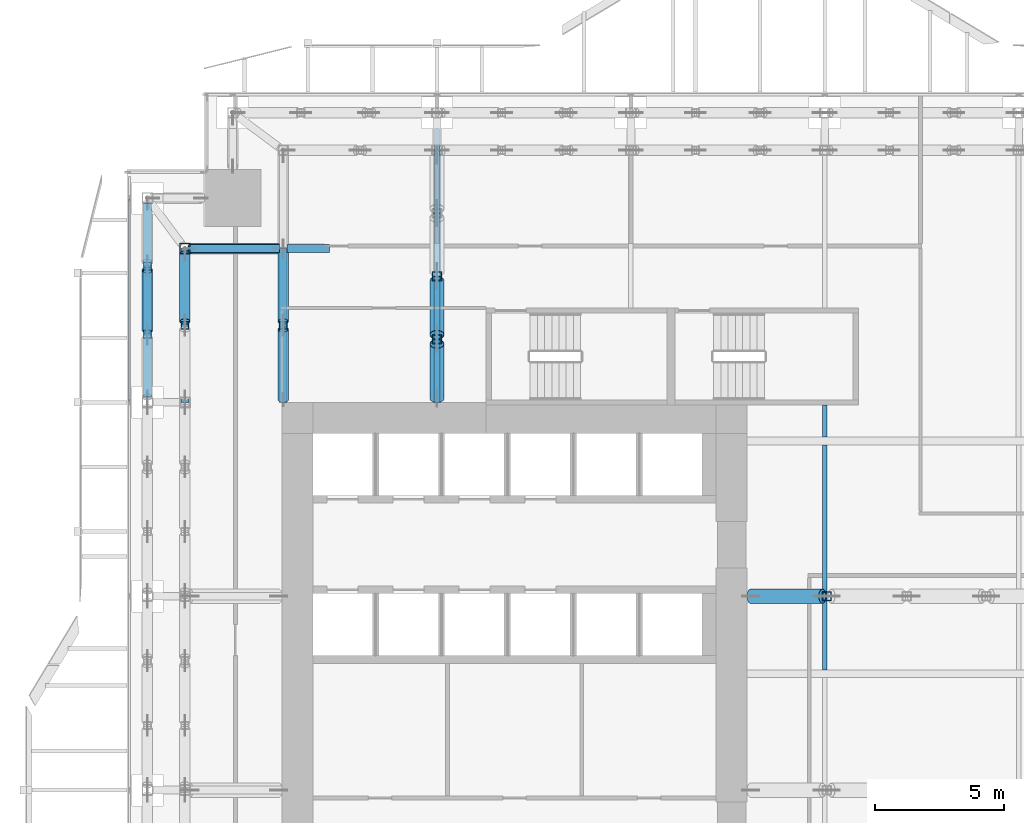
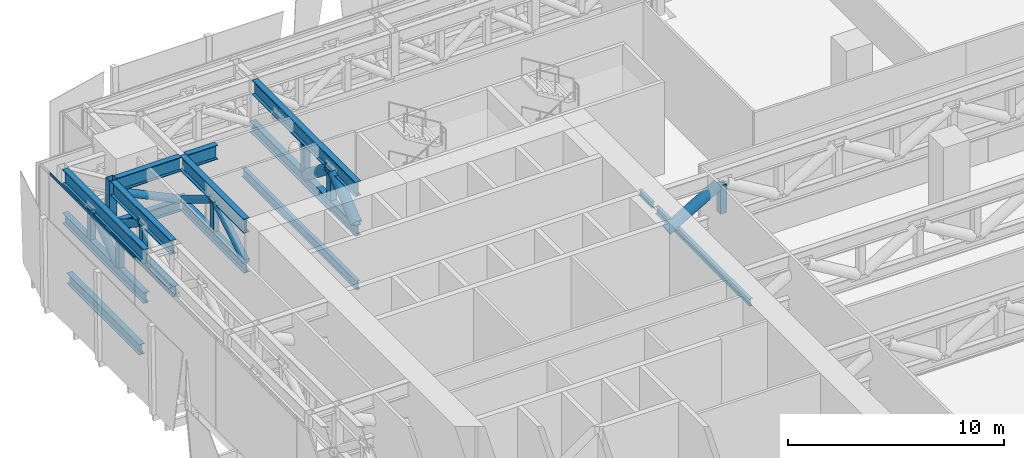
# One storey, part 18 of 39: 28 members, 4 beams, 1 element without a shape of its own.
"""IFC4 building model written with IfcOpenShell, lengths in metres."""

from ifc_helpers import new_model, si_unit, direction, frame, origin, origin_2d, place, context, subcontext, project, spatial, hollow_rectangle, hollow_circle, i_section, extrude, source, transform, mapped, material, material_profile, profile_set, type_object, element, aggregate, save


model = new_model("IFC4")

# Units and contexts
model_context = context("Model", 3, precision=1e-05, world=origin(), true_north=direction((0.0, 1.0)))
body_context = subcontext(model_context, "Body", "Model", "MODEL_VIEW")
ifc_project = project(units=[si_unit("LENGTHUNIT", "METRE"), si_unit("AREAUNIT", "SQUARE_METRE"), si_unit("VOLUMEUNIT", "CUBIC_METRE"), si_unit("PLANEANGLEUNIT", "RADIAN"), si_unit("MASSUNIT", "GRAM", prefix="KILO")], contexts=[model_context])

# Site, building, storey
site_placement = place(None, origin())
site = spatial("IfcSite", under=ifc_project, at=site_placement, CompositionType="ELEMENT")
building_placement = place(site_placement, origin())
building = spatial("IfcBuilding", under=site, at=building_placement, Name="Khomas Fold Tower", CompositionType="ELEMENT")
storey_placement = place(building_placement, frame((0.0, 0.0, 96.0)))
storey = spatial("IfcBuildingStorey", under=building, at=storey_placement, Name="L20", CompositionType="ELEMENT", Elevation=96.0)

# Beams
ifc_material_1 = material(Name="Steel S355", Category="steel")
ifc_material_profile_1 = material_profile(ifc_material_1, i_section(OverallWidth=0.199951171875, OverallDepth=0.5, WebThickness=0.01025390625, FlangeThickness=0.01611328125, at=origin_2d()), Name="IPE 500")
ifc_profile_set_1 = profile_set([ifc_material_profile_1], Name="Steel S355")
beam_type_1 = type_object("IfcBeamType", Name="IPE 500 beam JB5", PredefinedType="BEAM", material=ifc_profile_set_1)
shared_shape_1 = source(origin(), body_context, "Body", "SweptSolid", [
    extrude(i_section(OverallWidth=0.199951171875, OverallDepth=0.5, WebThickness=0.01025390625, FlangeThickness=0.01611328125, at=origin_2d()), origin(), (0.0, 0.0, 1.0), 10.60009765625),
])
beam_1_placement = place(storey_placement, frame((12.0, 42.0, -0.64990234375), z_axis=(0.0, 1.0, 0.0), x_axis=(-1.0, 0.0, 0.0)))
element("IfcBeam", 1, at=beam_1_placement, inside=storey, type_object=beam_type_1, Name="JB5", PredefinedType="BEAM", context=body_context, shape_type="MappedRepresentation", body=[
    mapped(shared_shape_1, transform((0.0, 0.0, 0.0))),
])
ifc_material_2 = material(Name="Steel S355", Category="steel")
ifc_material_profile_2 = material_profile(ifc_material_2, i_section(OverallWidth=0.179931640625, OverallDepth=0.39990234375, WebThickness=0.008544921875, FlangeThickness=0.013427734375, at=origin_2d()), Name="IPE 400")
ifc_profile_set_2 = profile_set([ifc_material_profile_2], Name="Steel S355")
beam_type_2 = type_object("IfcBeamType", Name="IPE 400 beam JB3", PredefinedType="BEAM", material=ifc_profile_set_2)
shared_shape_2 = source(origin(), body_context, "Body", "SweptSolid", [
    extrude(i_section(OverallWidth=0.179931640625, OverallDepth=0.39990234375, WebThickness=0.008544921875, FlangeThickness=0.013427734375, at=origin_2d()), origin(), (0.0, 0.0, 1.0), 8.7001953125),
])
beam_2_placement = place(storey_placement, frame((27.0, 31.64990234375, -0.60009765625), z_axis=(0.0, 1.0, 0.0), x_axis=(-1.0, 0.0, 0.0)))
element("IfcBeam", 2, at=beam_2_placement, inside=storey, type_object=beam_type_2, Name="JB3", PredefinedType="BEAM", context=body_context, shape_type="MappedRepresentation", body=[
    mapped(shared_shape_2, transform((0.0, 0.0, 0.0))),
])
ifc_material_3 = material(Name="Steel S355", Category="steel")
ifc_material_profile_3 = material_profile(ifc_material_3, i_section(OverallWidth=0.300048828125, OverallDepth=0.60009765625, WebThickness=0.015380859375, FlangeThickness=0.030029296875, at=origin_2d()), Name="HE 600 B")
ifc_profile_set_3 = profile_set([ifc_material_profile_3], Name="Steel S355")
beam_type_3 = type_object("IfcBeamType", Name="HE 600 B spandrel SB1", PredefinedType="SPANDREL", material=ifc_profile_set_3)
shared_shape_3 = source(origin(), body_context, "Body", "SweptSolid", [
    extrude(i_section(OverallWidth=0.300048828125, OverallDepth=0.60009765625, WebThickness=0.015380859375, FlangeThickness=0.030029296875, at=origin_2d()), origin(), (0.0, 0.0, 1.0), 6.699951171875),
])
beam_3_placement = place(storey_placement, frame((0.800048828125, 42.60009765625, -0.699951171875), z_axis=(0.0, 1.0, 0.0), x_axis=(-1.0, 0.0, 0.0)))
element("IfcBeam", 3, at=beam_3_placement, inside=storey, type_object=beam_type_3, Name="SB1", PredefinedType="SPANDREL", context=body_context, shape_type="MappedRepresentation", body=[
    mapped(shared_shape_3, transform((0.0, 0.0, 0.0))),
])
ifc_material_4 = material(Name="Steel S355", Category="steel")
ifc_material_profile_4 = material_profile(ifc_material_4, i_section(OverallWidth=0.159912109375, OverallDepth=0.330078125, WebThickness=0.007568359375, FlangeThickness=0.011474609375, at=origin_2d()), Name="IPE 330")
ifc_profile_set_4 = profile_set([ifc_material_profile_4], Name="Steel S355")
beam_type_4 = type_object("IfcBeamType", Name="IPE 330 beam JB1", PredefinedType="BEAM", material=ifc_profile_set_4)
shared_shape_4 = source(origin(), body_context, "Body", "SweptSolid", [
    extrude(i_section(OverallWidth=0.159912109375, OverallDepth=0.330078125, WebThickness=0.007568359375, FlangeThickness=0.011474609375, at=origin_2d()), origin(), (0.0, 0.0, 1.0), 1.25),
])
beam_4_placement = place(storey_placement, frame((27.0, 40.64990234375, -0.56494140625), z_axis=(0.0, 1.0, 0.0), x_axis=(-1.0, 0.0, 0.0)))
element("IfcBeam", 4, at=beam_4_placement, inside=storey, type_object=beam_type_4, Name="JB1", PredefinedType="BEAM", context=body_context, shape_type="MappedRepresentation", body=[
    mapped(shared_shape_4, transform((0.0, 0.0, 0.0))),
])

# Members
ifc_material_5 = material(Name="Steel S460M", Category="steel")
ifc_material_profile_5 = material_profile(ifc_material_5, i_section(OverallWidth=0.300048828125, OverallDepth=0.800048828125, WebThickness=0.017578125, FlangeThickness=0.032958984375, at=origin_2d()), Name="HE 800 B")
ifc_profile_set_5 = profile_set([ifc_material_profile_5], Name="Steel S460M")
member_type_1 = type_object("IfcMemberType", Name="BELT TRUSS 1 TOP CHORD HE 800 B", PredefinedType="CHORD", material=ifc_profile_set_5)
shared_shape_5 = source(origin(), body_context, "Body", "SweptSolid", [
    extrude(i_section(OverallWidth=0.300048828125, OverallDepth=0.800048828125, WebThickness=0.017578125, FlangeThickness=0.032958984375, at=origin_2d()), origin(), (0.0, 0.0, 1.0), 7.5),
])
member_1_placement = place(storey_placement, frame((0.800048828125, 49.699951171875, 4.800048828125), z_axis=(0.0, -1.0, 0.0), x_axis=(1.0, 0.0, 0.0)))
element("IfcMember", 5, at=member_1_placement, inside=storey, type_object=member_type_1, Name="BT1-CT", PredefinedType="CHORD", context=body_context, shape_type="MappedRepresentation", body=[
    mapped(shared_shape_5, transform((0.0, 0.0, 0.0))),
])
ifc_material_6 = material(Name="Steel S355", Category="steel")
ifc_material_profile_6 = material_profile(ifc_material_6, i_section(OverallWidth=0.300048828125, OverallDepth=0.60009765625, WebThickness=0.015380859375, FlangeThickness=0.030029296875, at=origin_2d()), Name="HE 600 B")
ifc_profile_set_6 = profile_set([ifc_material_profile_6], Name="Steel S355")
member_type_2 = type_object("IfcMemberType", Name="BELT TRUSS 1 BOTTOM CHORD HE 600 B", PredefinedType="CHORD", material=ifc_profile_set_6)
shared_shape_6 = source(origin(), body_context, "Body", "SweptSolid", [
    extrude(i_section(OverallWidth=0.300048828125, OverallDepth=0.60009765625, WebThickness=0.015380859375, FlangeThickness=0.030029296875, at=origin_2d()), origin(), (0.0, 0.0, 1.0), 7.5),
])
member_2_placement = place(storey_placement, frame((0.800048828125, 49.699951171875, 2.449951171875), z_axis=(0.0, -1.0, 0.0), x_axis=(1.0, 0.0, 0.0)))
element("IfcMember", 6, at=member_2_placement, inside=storey, type_object=member_type_2, Name="BT1-CB", PredefinedType="CHORD", context=body_context, shape_type="MappedRepresentation", body=[
    mapped(shared_shape_6, transform((0.0, 0.0, 0.0))),
])
ifc_material_7 = material(Name="Steel S355", Category="steel")
ifc_material_profile_7 = material_profile(ifc_material_7, hollow_circle(Radius=0.203125, WallThickness=0.01611328125, at=origin_2d()), Name="CHS 406.4x16")
ifc_profile_set_7 = profile_set([ifc_material_profile_7], Name="Steel S355")
member_type_3 = type_object("IfcMemberType", Name="BELT TRUSS 1 DIAGONAL CHS 406.4x16", PredefinedType="BRACE", material=ifc_profile_set_7)
shared_shape_7 = source(origin(), body_context, "Body", "SweptSolid", [
    extrude(hollow_circle(Radius=0.203125, WallThickness=0.01611328125, at=origin_2d()), origin(), (0.0, 0.0, 1.0), 2.863525390625),
])
member_3_placement = place(storey_placement, frame((0.800048828125, 47.11669921875, 4.405029296875), z_axis=(0.0, -0.814838084694, -0.579688619633), x_axis=(1.0, 0.0, 0.0)))
element("IfcMember", 7, at=member_3_placement, inside=storey, type_object=member_type_3, Name="BT1-D", PredefinedType="BRACE", context=body_context, shape_type="MappedRepresentation", body=[
    mapped(shared_shape_7, transform((0.0, 0.0, 0.0))),
])
ifc_material_8 = material(Name="Steel S355", Category="steel")
ifc_material_profile_8 = material_profile(ifc_material_8, hollow_rectangle(XDim=0.300048828125, YDim=0.300048828125, WallThickness=0.01611328125, at=origin_2d()), Name="SHS 300x300x16")
ifc_profile_set_8 = profile_set([ifc_material_profile_8], Name="Steel S355")
member_type_4 = type_object("IfcMemberType", Name="BELT TRUSS 1 MID POST SHS 300x300x16", PredefinedType="POST", material=ifc_profile_set_8)
shared_shape_8 = source(origin(), body_context, "Body", "SweptSolid", [
    extrude(hollow_rectangle(XDim=0.300048828125, YDim=0.300048828125, WallThickness=0.01611328125, at=origin_2d()), origin(), (0.0, 0.0, 1.0), 1.64990234375),
])
for number, where, z_axis, x_axis, name in (
    (8, (0.800048828125, 47.2666015625, 2.75), (0.0, 0.0, 1.0), (1.0, 0.0, 0.0), "BT1-M"),
    (9, (0.800048828125, 44.63330078125, 2.75), (0.0, 0.0, 1.0), (1.0, 0.0, 0.0), "BT1-M"),
    (10, (2.25, 44.97509765625, 2.75), (0.0, 0.0, 1.0), (1.0, 0.0, 0.0), "BT1-M"),
    (11, (6.050048828125, 44.97509765625, 2.75), (0.0, 0.0, 1.0), (1.0, 0.0, 0.0), "BT1-M"),
):
    element("IfcMember", number, at=place(storey_placement, frame(where, z_axis=z_axis, x_axis=x_axis)), inside=storey, type_object=member_type_4, Name=name, PredefinedType="POST", context=body_context, shape_type="MappedRepresentation", body=[
        mapped(shared_shape_8, transform((0.0, 0.0, 0.0))),
    ])
shared_shape_9 = source(origin(), body_context, "Body", "SweptSolid", [
    extrude(i_section(OverallWidth=0.300048828125, OverallDepth=0.800048828125, WebThickness=0.017578125, FlangeThickness=0.032958984375, at=origin_2d()), origin(), (0.0, 0.0, 1.0), 5.550048828125),
])
member_4_placement = place(storey_placement, frame((2.25, 47.75, 4.800048828125), z_axis=(0.0, -1.0, 0.0), x_axis=(1.0, 0.0, 0.0)))
element("IfcMember", 12, at=member_4_placement, inside=storey, type_object=member_type_1, Name="BT1-CT", PredefinedType="CHORD", context=body_context, shape_type="MappedRepresentation", body=[
    mapped(shared_shape_9, transform((0.0, 0.0, 0.0))),
])
shared_shape_10 = source(origin(), body_context, "Body", "SweptSolid", [
    extrude(hollow_circle(Radius=0.203125, WallThickness=0.01611328125, at=origin_2d()), origin(), (0.0, 0.0, 1.0), 3.105712890625),
])
member_5_placement = place(storey_placement, frame((2.25, 47.75, 2.7451171875), z_axis=(0.0, -0.84519551241, 0.534457244129), x_axis=(1.0, 0.0, 0.0)))
element("IfcMember", 13, at=member_5_placement, inside=storey, type_object=member_type_3, Name="BT1-D", PredefinedType="BRACE", context=body_context, shape_type="MappedRepresentation", body=[
    mapped(shared_shape_10, transform((0.0, 0.0, 0.0))),
])
shared_shape_11 = source(origin(), body_context, "Body", "SweptSolid", [
    extrude(i_section(OverallWidth=0.300048828125, OverallDepth=0.60009765625, WebThickness=0.015380859375, FlangeThickness=0.030029296875, at=origin_2d()), origin(), (0.0, 0.0, 1.0), 5.949951171875),
])
for number, where, z_axis, x_axis, name in (
    (14, (2.25, 47.949951171875, 2.449951171875), (0.0, -1.0, 0.0), (1.0, 0.0, 0.0), "BT1-CB"),
    (15, (6.050048828125, 47.949951171875, 2.449951171875), (0.0, -1.0, 0.0), (1.0, 0.0, 0.0), "BT1-CB"),
):
    element("IfcMember", number, at=place(storey_placement, frame(where, z_axis=z_axis, x_axis=x_axis)), inside=storey, type_object=member_type_2, Name=name, PredefinedType="CHORD", context=body_context, shape_type="MappedRepresentation", body=[
        mapped(shared_shape_11, transform((0.0, 0.0, 0.0))),
    ])
ifc_material_9 = material(Name="Steel S460M", Category="steel")
ifc_material_profile_9 = material_profile(ifc_material_9, i_section(OverallWidth=0.300048828125, OverallDepth=0.800048828125, WebThickness=0.017578125, FlangeThickness=0.032958984375, at=origin_2d()), Name="HE 800 B")
ifc_profile_set_9 = profile_set([ifc_material_profile_9], Name="Steel S460M")
member_type_5 = type_object("IfcMemberType", Name="BELT TRUSS 1 TOP CHORD SHORT HE 800 B", PredefinedType="CHORD", material=ifc_profile_set_9)
shared_shape_12 = source(origin(), body_context, "Body", "SweptSolid", [
    extrude(i_section(OverallWidth=0.300048828125, OverallDepth=0.800048828125, WebThickness=0.017578125, FlangeThickness=0.032958984375, at=origin_2d()), origin(), (0.0, 0.0, 1.0), 3.449951171875),
])
member_6_placement = place(storey_placement, frame((2.449951171875, 47.949951171875, 4.800048828125), z_axis=(1.0, 0.0, 0.0), x_axis=(0.0, 1.0, 0.0)))
element("IfcMember", 16, at=member_6_placement, inside=storey, type_object=member_type_5, Name="BT1-CTS", PredefinedType="CHORD", context=body_context, shape_type="MappedRepresentation", body=[
    mapped(shared_shape_12, transform((0.0, 0.0, 0.0))),
])
ifc_material_10 = material(Name="Steel S355", Category="steel")
ifc_material_profile_10 = material_profile(ifc_material_10, i_section(OverallWidth=0.300048828125, OverallDepth=0.60009765625, WebThickness=0.015380859375, FlangeThickness=0.030029296875, at=origin_2d()), Name="HE 600 B")
ifc_profile_set_10 = profile_set([ifc_material_profile_10], Name="Steel S355")
member_type_6 = type_object("IfcMemberType", Name="BELT TRUSS 1 BOTTOM CHORD SHORT HE 600 B", PredefinedType="CHORD", material=ifc_profile_set_10)
shared_shape_13 = source(origin(), body_context, "Body", "SweptSolid", [
    extrude(i_section(OverallWidth=0.300048828125, OverallDepth=0.60009765625, WebThickness=0.015380859375, FlangeThickness=0.030029296875, at=origin_2d()), origin(), (0.0, 0.0, 1.0), 3.5),
])
member_7_placement = place(storey_placement, frame((2.39990234375, 47.949951171875, 2.449951171875), z_axis=(1.0, 0.0, 0.0), x_axis=(0.0, 1.0, 0.0)))
element("IfcMember", 17, at=member_7_placement, inside=storey, type_object=member_type_6, Name="BT1-CBS", PredefinedType="CHORD", context=body_context, shape_type="MappedRepresentation", body=[
    mapped(shared_shape_13, transform((0.0, 0.0, 0.0))),
])
ifc_material_11 = material(Name="Steel S355", Category="steel")
ifc_material_profile_11 = material_profile(ifc_material_11, hollow_circle(Radius=0.203125, WallThickness=0.01611328125, at=origin_2d()), Name="CHS 406.4x16")
ifc_profile_set_11 = profile_set([ifc_material_profile_11], Name="Steel S355")
member_type_7 = type_object("IfcMemberType", Name="BELT TRUSS 1 DIAGONAL LONG CHS 406.4x16", PredefinedType="BRACE", material=ifc_profile_set_11)
shared_shape_14 = source(origin(), body_context, "Body", "SweptSolid", [
    extrude(hollow_circle(Radius=0.203125, WallThickness=0.01611328125, at=origin_2d()), origin(), (0.0, 0.0, 1.0), 3.82861328125),
])
member_8_placement = place(storey_placement, frame((2.449951171875, 47.949951171875, 4.405029296875), z_axis=(0.901121646238, 0.0, -0.43356634865), x_axis=(0.0, 1.0, 0.0)))
element("IfcMember", 18, at=member_8_placement, inside=storey, type_object=member_type_7, Name="BT1-DL", PredefinedType="BRACE", context=body_context, shape_type="MappedRepresentation", body=[
    mapped(shared_shape_14, transform((0.0, 0.0, 0.0))),
])
ifc_material_12 = material(Name="Steel S460M", Category="steel")
ifc_material_profile_12 = material_profile(ifc_material_12, i_section(OverallWidth=0.300048828125, OverallDepth=0.800048828125, WebThickness=0.017578125, FlangeThickness=0.032958984375, at=origin_2d()), Name="HE 800 B")
ifc_profile_set_12 = profile_set([ifc_material_profile_12], Name="Steel S460M")
member_type_8 = type_object("IfcMemberType", Name="BELT TRUSS 1 TOP CHORD SHORTER HE 800 B", PredefinedType="CHORD", material=ifc_profile_set_12)
shared_shape_15 = source(origin(), body_context, "Body", "SweptSolid", [
    extrude(i_section(OverallWidth=0.300048828125, OverallDepth=0.800048828125, WebThickness=0.017578125, FlangeThickness=0.032958984375, at=origin_2d()), origin(), (0.0, 0.0, 1.0), 1.650146484375),
])
member_9_placement = place(storey_placement, frame((6.199951171875, 47.949951171875, 4.800048828125), z_axis=(1.0, 0.0, 0.0), x_axis=(0.0, 1.0, 0.0)))
element("IfcMember", 19, at=member_9_placement, inside=storey, type_object=member_type_8, Name="BT1-CTSS", PredefinedType="CHORD", context=body_context, shape_type="MappedRepresentation", body=[
    mapped(shared_shape_15, transform((0.0, 0.0, 0.0))),
])
shared_shape_16 = source(origin(), body_context, "Body", "SweptSolid", [
    extrude(i_section(OverallWidth=0.300048828125, OverallDepth=0.800048828125, WebThickness=0.017578125, FlangeThickness=0.032958984375, at=origin_2d()), origin(), (0.0, 0.0, 1.0), 5.949951171875),
])
member_10_placement = place(storey_placement, frame((6.050048828125, 47.949951171875, 4.800048828125), z_axis=(0.0, -1.0, 0.0), x_axis=(1.0, 0.0, 0.0)))
element("IfcMember", 20, at=member_10_placement, inside=storey, type_object=member_type_1, Name="BT1-CT", PredefinedType="CHORD", context=body_context, shape_type="MappedRepresentation", body=[
    mapped(shared_shape_16, transform((0.0, 0.0, 0.0))),
])
shared_shape_17 = source(origin(), body_context, "Body", "SweptSolid", [
    extrude(hollow_circle(Radius=0.203125, WallThickness=0.01611328125, at=origin_2d()), origin(), (0.0, 0.0, 1.0), 3.1884765625),
])
for number, where, z_axis, x_axis, name in (
    (21, (6.050048828125, 47.847412109375, 2.7451171875), (0.0, -0.853809457038, 0.5205856424), (1.0, 0.0, 0.0), "BT1-D"),
    (22, (6.050048828125, 44.824951171875, 4.405029296875), (0.0, -0.853809457038, -0.5205856424), (1.0, 0.0, 0.0), "BT1-D"),
):
    element("IfcMember", number, at=place(storey_placement, frame(where, z_axis=z_axis, x_axis=x_axis)), inside=storey, type_object=member_type_3, Name=name, PredefinedType="BRACE", context=body_context, shape_type="MappedRepresentation", body=[
        mapped(shared_shape_17, transform((0.0, 0.0, 0.0))),
    ])
ifc_material_13 = material(Name="Steel S460M", Category="steel")
ifc_material_profile_13 = material_profile(ifc_material_13, hollow_rectangle(XDim=0.39990234375, YDim=0.39990234375, WallThickness=0.02001953125, at=origin_2d()), Name="SHS 400x400x20")
ifc_profile_set_13 = profile_set([ifc_material_profile_13], Name="Steel S460M")
member_type_9 = type_object("IfcMemberType", Name="BELT TRUSS 1 COLUMN POST SHS 400x400x20", PredefinedType="POST", material=ifc_profile_set_13)
shared_shape_18 = source(origin(), body_context, "Body", "SweptSolid", [
    extrude(hollow_rectangle(XDim=0.39990234375, YDim=0.39990234375, WallThickness=0.02001953125, at=origin_2d()), origin(), (0.0, 0.0, 1.0), 2.449951171875),
])
member_11_placement = place(storey_placement, frame((2.25, 47.949951171875, 2.75), z_axis=(0.0, 0.0, 1.0), x_axis=(1.0, 0.0, 0.0)))
element("IfcMember", 23, at=member_11_placement, inside=storey, type_object=member_type_9, Name="BT1-P", PredefinedType="POST", context=body_context, shape_type="MappedRepresentation", body=[
    mapped(shared_shape_18, transform((0.0, 0.0, 0.0))),
])
ifc_material_14 = material(Name="Steel S355", Category="steel")
ifc_material_profile_14 = material_profile(ifc_material_14, hollow_circle(Radius=0.279541015625, WallThickness=0.01611328125, at=origin_2d()), Name="CHS 559x16")
ifc_profile_set_14 = profile_set([ifc_material_profile_14], Name="Steel S355")
member_type_10 = type_object("IfcMemberType", Name="OUTRIGGER 1 DIAGONAL CHS 559x16", PredefinedType="BRACE", material=ifc_profile_set_14)
shared_shape_19 = source(origin(), body_context, "Body", "SweptSolid", [
    extrude(hollow_circle(Radius=0.279541015625, WallThickness=0.01611328125, at=origin_2d()), origin(), (0.0, 0.0, 1.0), 3.21435546875),
])
member_12_placement = place(storey_placement, frame((24.1357421875, 34.5, 2.764892578125), z_axis=(0.862583684428, 0.0, 0.505914407147), x_axis=(0.0, 1.0, 0.0)))
element("IfcMember", 24, at=member_12_placement, inside=storey, type_object=member_type_10, Name="OR1-D", PredefinedType="BRACE", context=body_context, shape_type="MappedRepresentation", body=[
    mapped(shared_shape_19, transform((0.0, 0.0, 0.0))),
])
ifc_material_15 = material(Name="Steel S355", Category="steel")
ifc_material_profile_15 = material_profile(ifc_material_15, hollow_rectangle(XDim=0.35009765625, YDim=0.35009765625, WallThickness=0.02001953125, at=origin_2d()), Name="SHS 350x350x20")
ifc_profile_set_15 = profile_set([ifc_material_profile_15], Name="Steel S355")
member_type_11 = type_object("IfcMemberType", Name="OUTRIGGER 1 MID POST SHS 350x350x20", PredefinedType="POST", material=ifc_profile_set_15)
shared_shape_20 = source(origin(), body_context, "Body", "SweptSolid", [
    extrude(hollow_rectangle(XDim=0.35009765625, YDim=0.35009765625, WallThickness=0.02001953125, at=origin_2d()), origin(), (0.0, 0.0, 1.0), 1.615966796875),
])
for number, where, z_axis, x_axis, name in (
    (25, (27.083251953125, 34.5, 2.77001953125), (0.0, 0.0, 1.0), (1.0, 0.0, 0.0), "OR1-M"),
    (26, (12.0, 44.4375, 2.77001953125), (0.0, 0.0, 1.0), (1.0, 0.0, 0.0), "OR1-M"),
    (27, (12.0, 46.875, 2.77001953125), (0.0, 0.0, 1.0), (1.0, 0.0, 0.0), "OR1-M"),
):
    element("IfcMember", number, at=place(storey_placement, frame(where, z_axis=z_axis, x_axis=x_axis)), inside=storey, type_object=member_type_11, Name=name, PredefinedType="POST", context=body_context, shape_type="MappedRepresentation", body=[
        mapped(shared_shape_20, transform((0.0, 0.0, 0.0))),
    ])
ifc_material_16 = material(Name="Steel S460M", Category="steel")
ifc_material_profile_16 = material_profile(ifc_material_16, i_section(OverallWidth=0.302978515625, OverallDepth=0.81396484375, WebThickness=0.02099609375, FlangeThickness=0.0400390625, at=origin_2d()), Name="HE 800 M")
ifc_profile_set_16 = profile_set([ifc_material_profile_16], Name="Steel S460M")
member_type_12 = type_object("IfcMemberType", Name="OUTRIGGER 1 TOP CHORD LONG HE 800 M", PredefinedType="CHORD", material=ifc_profile_set_16)
shared_shape_21 = source(origin(), body_context, "Body", "SweptSolid", [
    extrude(i_section(OverallWidth=0.302978515625, OverallDepth=0.81396484375, WebThickness=0.02099609375, FlangeThickness=0.0400390625, at=origin_2d()), origin(), (0.0, 0.0, 1.0), 9.550048828125),
])
member_13_placement = place(storey_placement, frame((12.0, 42.0, 4.79296875), z_axis=(0.0, 1.0, 0.0), x_axis=(-1.0, 0.0, 0.0)))
element("IfcMember", 28, at=member_13_placement, inside=storey, type_object=member_type_12, Name="OR1-CTL", PredefinedType="CHORD", context=body_context, shape_type="MappedRepresentation", body=[
    mapped(shared_shape_21, transform((0.0, 0.0, 0.0))),
])
ifc_material_17 = material(Name="Steel S460M", Category="steel")
ifc_material_profile_17 = material_profile(ifc_material_17, i_section(OverallWidth=0.304931640625, OverallDepth=0.6201171875, WebThickness=0.02099609375, FlangeThickness=0.0400390625, at=origin_2d()), Name="HE 600 M")
ifc_profile_set_17 = profile_set([ifc_material_profile_17], Name="Steel S460M")
member_type_13 = type_object("IfcMemberType", Name="OUTRIGGER 1 BOTTOM CHORD LONG HE 600 M", PredefinedType="CHORD", material=ifc_profile_set_17)
shared_shape_22 = source(origin(), body_context, "Body", "SweptSolid", [
    extrude(i_section(OverallWidth=0.304931640625, OverallDepth=0.6201171875, WebThickness=0.02099609375, FlangeThickness=0.0400390625, at=origin_2d()), origin(), (0.0, 0.0, 1.0), 9.75),
])
member_14_placement = place(storey_placement, frame((12.0, 42.0, 2.4599609375), z_axis=(0.0, 1.0, 0.0), x_axis=(-1.0, 0.0, 0.0)))
element("IfcMember", 29, at=member_14_placement, inside=storey, type_object=member_type_13, Name="OR1-CBL", PredefinedType="CHORD", context=body_context, shape_type="MappedRepresentation", body=[
    mapped(shared_shape_22, transform((0.0, 0.0, 0.0))),
])
shared_shape_23 = source(origin(), body_context, "Body", "SweptSolid", [
    extrude(hollow_circle(Radius=0.279541015625, WallThickness=0.01611328125, at=origin_2d()), origin(), (0.0, 0.0, 1.0), 2.656005859375),
])
member_15_placement = place(storey_placement, frame((12.0, 42.162353515625, 2.764892578125), z_axis=(0.0, 0.790661987669, 0.612252906285), x_axis=(-1.0, 0.0, 0.0)))
element("IfcMember", 30, at=member_15_placement, inside=storey, type_object=member_type_10, Name="OR1-D", PredefinedType="BRACE", context=body_context, shape_type="MappedRepresentation", body=[
    mapped(shared_shape_23, transform((0.0, 0.0, 0.0))),
])
shared_shape_24 = source(origin(), body_context, "Body", "SweptSolid", [
    extrude(hollow_circle(Radius=0.279541015625, WallThickness=0.01611328125, at=origin_2d()), origin(), (0.0, 0.0, 1.0), 2.64599609375),
])
member_16_placement = place(storey_placement, frame((12.0, 44.612548828125, 4.39111328125), z_axis=(0.0, 0.788860124161, -0.614572782109), x_axis=(-1.0, 0.0, 0.0)))
element("IfcMember", 31, at=member_16_placement, inside=storey, type_object=member_type_10, Name="OR1-D", PredefinedType="BRACE", context=body_context, shape_type="MappedRepresentation", body=[
    mapped(shared_shape_24, transform((0.0, 0.0, 0.0))),
])

# Curtain wall, member
ifc_material_18 = material(Name="Aluminium framed double glazing", Category="aluminium")
curtain_wall_type = type_object("IfcCurtainWallType", Name="SK-Plant louvre wall CW4", PredefinedType="NOTDEFINED", material=ifc_material_18)
curtain_wall_placement = place(storey_placement, origin())
curtain_wall = element("IfcCurtainWall", 32, at=curtain_wall_placement, inside=storey, type_object=curtain_wall_type, Name="CW4 run L20 09-0", PredefinedType="NOTDEFINED")
ifc_material_19 = material(Name="Aluminium", Category="aluminium")
ifc_material_profile_18 = material_profile(ifc_material_19, hollow_rectangle(XDim=0.06005859375, YDim=0.1201171875, WallThickness=0.00390625, at=origin_2d()), Name="SK-Plant louvre wall transom CW4-T")
ifc_profile_set_18 = profile_set([ifc_material_profile_18], Name="Aluminium")
member_type_14 = type_object("IfcMemberType", Name="SK-Plant louvre wall transom CW4-T", PredefinedType="USERDEFINED", material=ifc_profile_set_18)
shared_shape_25 = source(origin(), body_context, "Body", "SweptSolid", [
    extrude(hollow_rectangle(XDim=0.06005859375, YDim=0.1201171875, WallThickness=0.00390625, at=origin_2d()), origin(), (0.0, 0.0, 1.0), 7.840087890625),
])
member_17_placement = place(storey_placement, frame((0.10009765625, 49.8701171875, 5.0400390625), z_axis=(0.0, -1.0, 0.0), x_axis=(1.0, 0.0, 0.0)))
member_17 = element("IfcMember", 33, at=member_17_placement, type_object=member_type_14, Name="CW4 transom 2", ObjectType="TRANSOM", PredefinedType="USERDEFINED", context=body_context, shape_type="MappedRepresentation", body=[
    mapped(shared_shape_25, transform((0.0, 0.0, 0.0))),
])
aggregate(curtain_wall, [member_17])

save(model, "model.ifc")
